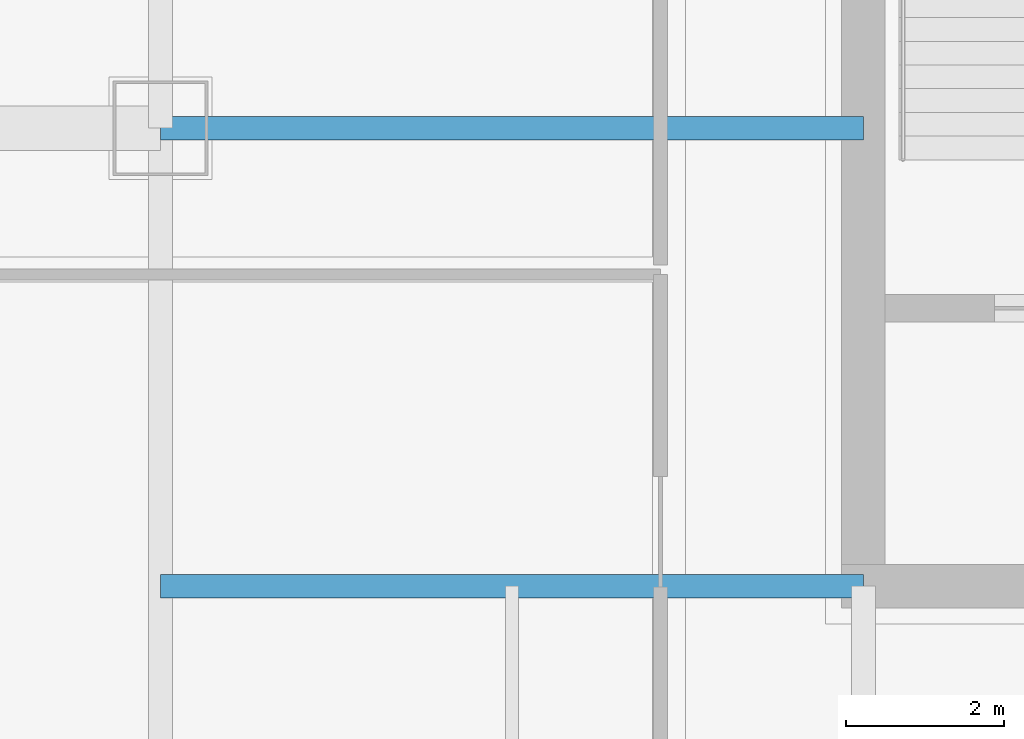
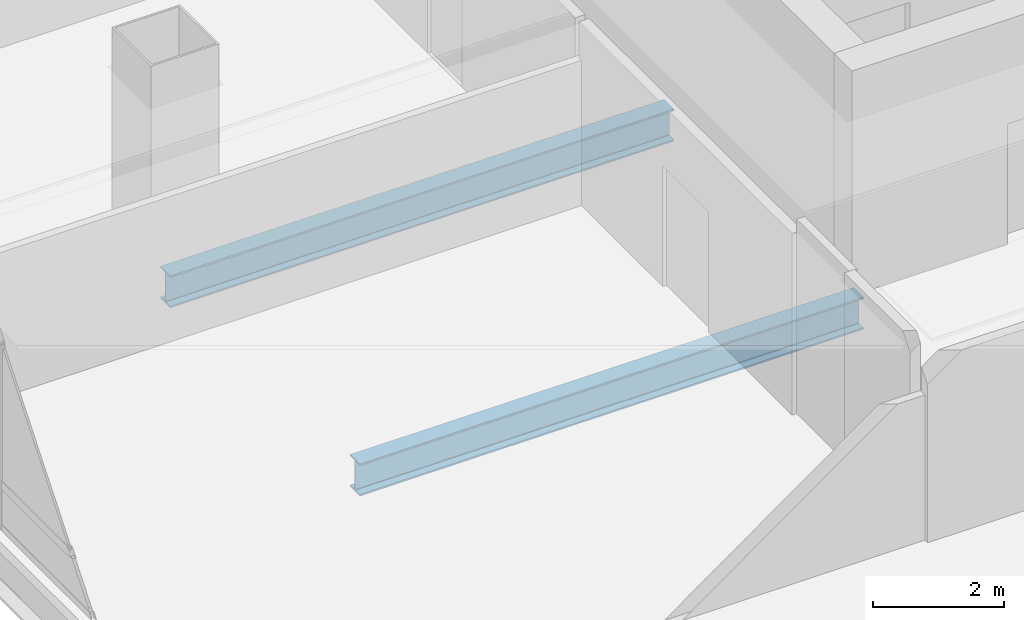
# One storey, part 6 of 41: 2 beams.
"""IFC4 building model written with IfcOpenShell, lengths in metres."""

from ifc_helpers import new_model, si_unit, direction, frame, origin, origin_2d, place, context, subcontext, project, spatial, i_section, extrude, material, material_profile, profile_set, type_object, element, save


model = new_model("IFC4")

# Units and contexts
model_context = context("Model", 3, precision=1e-05, world=origin(), true_north=direction((0.0, 1.0)))
body_context = subcontext(model_context, "Body", "Model", "MODEL_VIEW")
ifc_project = project(units=[si_unit("LENGTHUNIT", "METRE"), si_unit("AREAUNIT", "SQUARE_METRE"), si_unit("VOLUMEUNIT", "CUBIC_METRE"), si_unit("PLANEANGLEUNIT", "RADIAN"), si_unit("MASSUNIT", "GRAM", prefix="KILO")], contexts=[model_context])

# Site, building, storey
site_placement = place(None, origin())
site = spatial("IfcSite", under=ifc_project, at=site_placement, CompositionType="ELEMENT")
building_placement = place(site_placement, origin())
building = spatial("IfcBuilding", under=site, at=building_placement, Name="Punatoya Terracotta Tower", CompositionType="ELEMENT")
storey_placement = place(building_placement, frame((0.0, 0.0, 309.0)))
storey = spatial("IfcBuildingStorey", under=building, at=storey_placement, Name="L73", CompositionType="ELEMENT", Elevation=309.0)

# Beams
ifc_material = material(Name="Steel S355", Category="steel")
ifc_material_profile = material_profile(ifc_material, i_section(OverallWidth=0.300048828125, OverallDepth=0.60009765625, WebThickness=0.015380859375, FlangeThickness=0.030029296875, FilletRadius=0.01806640625, at=origin_2d()))
ifc_profile_set = profile_set([ifc_material_profile], Name="Steel S355")
beam_type = type_object("IfcBeamType", Name="BM-PRI-600", PredefinedType="BEAM", material=ifc_profile_set)
for number, where, z_axis, x_axis, name in (
    (1, (-19.10009765625, -9.199951171875, -0.5), (1.0, 0.0, 0.0), (0.0, 1.0, 0.0), "BM-L73-PR-WS"),
    (2, (-19.10009765625, -3.39990234375, -0.5), (1.0, 0.0, 0.0), (0.0, 1.0, 0.0), "BM-L73-PR-WD"),
):
    element("IfcBeam", number, at=place(storey_placement, frame(where, z_axis=z_axis, x_axis=x_axis)), inside=storey, type_object=beam_type, Name=name, PredefinedType="BEAM", context=body_context, shape_type="SweptSolid", body=[
        extrude(i_section(OverallWidth=0.300048828125, OverallDepth=0.60009765625, WebThickness=0.015380859375, FlangeThickness=0.030029296875, FilletRadius=0.01806640625, at=origin_2d()), origin(), (0.0, 0.0, 1.0), 8.900146484375),
    ])

save(model, "model.ifc")
